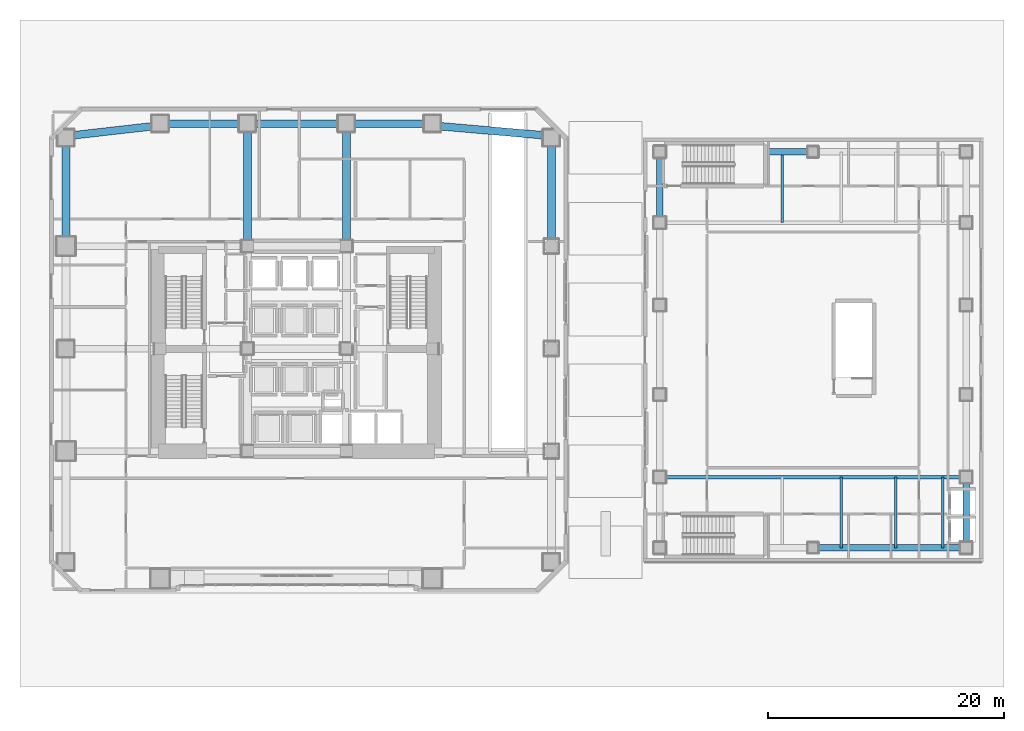
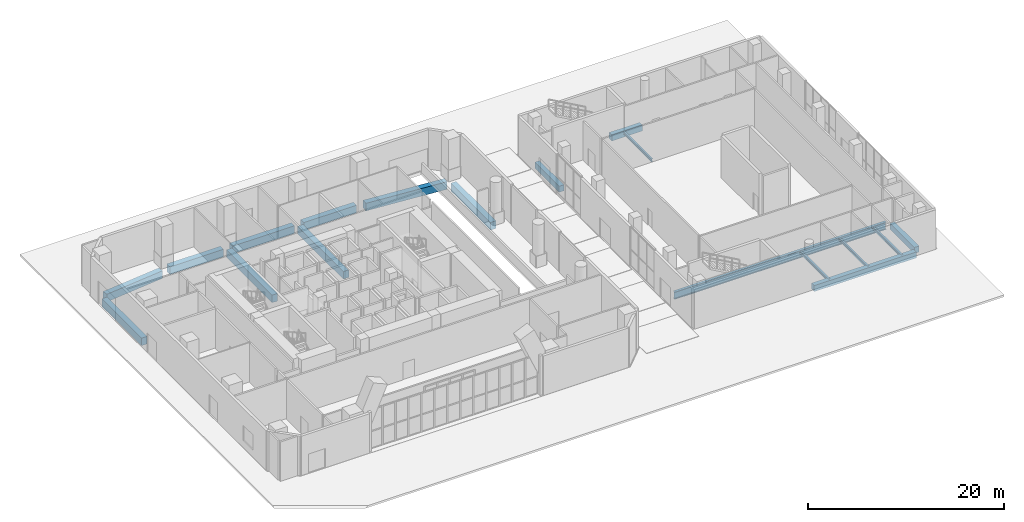
# One storey, part 13 of 30: 18 beams.
"""IFC4 building model written with IfcOpenShell, lengths in metres."""

from ifc_helpers import new_model, si_unit, direction, frame, origin, origin_2d, place, context, subcontext, project, spatial, rectangle, i_section, extrude, material, material_profile, profile_set, type_object, element, save


model = new_model("IFC4")

# Units and contexts
model_context = context("Model", 3, precision=1e-05, world=origin(), true_north=direction((0.0, 1.0)))
body_context = subcontext(model_context, "Body", "Model", "MODEL_VIEW")
ifc_project = project(units=[si_unit("LENGTHUNIT", "METRE"), si_unit("AREAUNIT", "SQUARE_METRE"), si_unit("VOLUMEUNIT", "CUBIC_METRE"), si_unit("PLANEANGLEUNIT", "RADIAN"), si_unit("MASSUNIT", "GRAM", prefix="KILO")], contexts=[model_context])

# Site, building, storey
site_placement = place(None, origin())
site = spatial("IfcSite", under=ifc_project, at=site_placement, CompositionType="ELEMENT")
building_placement = place(site_placement, origin())
building = spatial("IfcBuilding", under=site, at=building_placement, Name="Solanera Arch Residences", CompositionType="ELEMENT")
storey_placement = place(building_placement, origin())
storey = spatial("IfcBuildingStorey", under=building, at=storey_placement, Name="L00", CompositionType="ELEMENT", Elevation=0.0)

# Beams
ifc_material_1 = material(Name="Concrete C40/50 (f'c = 45 MPa)", Category="concrete")
ifc_material_profile_1 = material_profile(ifc_material_1, rectangle(XDim=0.550048828125, YDim=0.75, at=origin_2d()))
ifc_profile_set_1 = profile_set([ifc_material_profile_1], Name="Concrete C40/50 (f'c = 45 MPa)")
beam_type_1 = type_object("IfcBeamType", Name="Primary Beam RC-BM-550X750", PredefinedType="BEAM", material=ifc_profile_set_1)
for number, where, z_axis, x_axis, name in (
    (1, (81.800048828125, 14.300048828125, -0.695068359375), (0.0, 1.0, 0.0), (-1.0, 0.0, 0.0), "BM-L00-HE-1"),
    (2, (55.800048828125, 41.89990234375, -0.695068359375), (0.0, 1.0, 0.0), (-1.0, 0.0, 0.0), "BM-L00-HW-5"),
):
    element("IfcBeam", number, at=place(storey_placement, frame(where, z_axis=z_axis, x_axis=x_axis)), inside=storey, type_object=beam_type_1, Name=name, PredefinedType="BEAM", context=body_context, shape_type="SweptSolid", body=[
        extrude(rectangle(XDim=0.550048828125, YDim=0.75, at=origin_2d()), origin(), (0.0, 0.0, 1.0), 5.0),
    ])
beam_1_placement = place(storey_placement, frame((69.25, 13.800048828125, -0.695068359375), z_axis=(1.0, 0.0, 0.0), x_axis=(0.0, 1.0, 0.0)))
element("IfcBeam", 3, at=beam_1_placement, inside=storey, type_object=beam_type_1, Name="BM-L00-HS-2", PredefinedType="BEAM", context=body_context, shape_type="SweptSolid", body=[
    extrude(rectangle(XDim=0.550048828125, YDim=0.75, at=origin_2d()), origin(), (0.0, 0.0, 1.0), 12.050048828125),
])
beam_2_placement = place(storey_placement, frame((64.760009765625, 47.39990234375, -0.695068359375), z_axis=(1.0, 0.0, 0.0), x_axis=(0.0, 1.0, 0.0)))
element("IfcBeam", 4, at=beam_2_placement, inside=storey, type_object=beam_type_1, Name="BM-L00-HN-1", PredefinedType="BEAM", context=body_context, shape_type="SweptSolid", body=[
    extrude(rectangle(XDim=0.550048828125, YDim=0.75, at=origin_2d()), origin(), (0.0, 0.0, 1.0), 3.590087890625),
])
ifc_material_2 = material(Name="Concrete C40/50 (f'c = 45 MPa)", Category="concrete")
ifc_material_profile_2 = material_profile(ifc_material_2, rectangle(XDim=0.64990234375, YDim=0.949951171875, at=origin_2d()))
ifc_profile_set_2 = profile_set([ifc_material_profile_2], Name="Concrete C40/50 (f'c = 45 MPa)")
beam_type_2 = type_object("IfcBeamType", Name="Primary Beam RC-BM-650X950", PredefinedType="BEAM", material=ifc_profile_set_2)
beam_3_placement = place(storey_placement, frame((5.39990234375, 39.93994140625, -0.89501953125), z_axis=(0.0, 1.0, 0.0), x_axis=(-1.0, 0.0, 0.0)))
element("IfcBeam", 5, at=beam_3_placement, inside=storey, type_object=beam_type_2, Name="BM-L00-POD-W4", PredefinedType="BEAM", context=body_context, shape_type="SweptSolid", body=[
    extrude(rectangle(XDim=0.64990234375, YDim=0.949951171875, at=origin_2d()), origin(), (0.0, 0.0, 1.0), 8.1201171875),
])
beam_4_placement = place(storey_placement, frame((5.8798828125, 48.800048828125, -0.89501953125), z_axis=(0.993604551923, 0.112915873098, 0.0), x_axis=(-0.112915873098, 0.993604551923, 0.0)))
element("IfcBeam", 6, at=beam_4_placement, inside=storey, type_object=beam_type_2, Name="BM-L00-POD-N1", PredefinedType="BEAM", context=body_context, shape_type="SweptSolid", body=[
    extrude(rectangle(XDim=0.64990234375, YDim=0.949951171875, at=origin_2d()), origin(), (0.0, 0.0, 1.0), 7.08544921875),
])
beam_5_placement = place(storey_placement, frame((13.93994140625, 49.800048828125, -0.89501953125), z_axis=(1.0, 0.0, 0.0), x_axis=(0.0, 1.0, 0.0)))
element("IfcBeam", 7, at=beam_5_placement, inside=storey, type_object=beam_type_2, Name="BM-L00-POD-N2", PredefinedType="BEAM", context=body_context, shape_type="SweptSolid", body=[
    extrude(rectangle(XDim=0.64990234375, YDim=0.949951171875, at=origin_2d()), origin(), (0.0, 0.0, 1.0), 6.320068359375),
])
beam_6_placement = place(storey_placement, frame((21.340087890625, 49.800048828125, -0.89501953125), z_axis=(1.0, 0.0, 0.0), x_axis=(0.0, 1.0, 0.0)))
element("IfcBeam", 8, at=beam_6_placement, inside=storey, type_object=beam_type_2, Name="BM-L00-POD-N3", PredefinedType="BEAM", context=body_context, shape_type="SweptSolid", body=[
    extrude(rectangle(XDim=0.64990234375, YDim=0.949951171875, at=origin_2d()), origin(), (0.0, 0.0, 1.0), 7.31982421875),
])
beam_7_placement = place(storey_placement, frame((29.739990234375, 49.800048828125, -0.89501953125), z_axis=(1.0, 0.0, 0.0), x_axis=(0.0, 1.0, 0.0)))
element("IfcBeam", 9, at=beam_7_placement, inside=storey, type_object=beam_type_2, Name="BM-L00-POD-N4", PredefinedType="BEAM", context=body_context, shape_type="SweptSolid", body=[
    extrude(rectangle(XDim=0.64990234375, YDim=0.949951171875, at=origin_2d()), origin(), (0.0, 0.0, 1.0), 6.219970703125),
])
beam_8_placement = place(storey_placement, frame((36.97998046875, 49.60009765625, -0.89501953125), z_axis=(0.996191002053, -0.087197978357, 0.0), x_axis=(0.087197978357, 0.996191002053, 0.0)))
element("IfcBeam", 10, at=beam_8_placement, inside=storey, type_object=beam_type_2, Name="BM-L00-POD-N5", PredefinedType="BEAM", context=body_context, shape_type="SweptSolid", body=[
    extrude(rectangle(XDim=0.64990234375, YDim=0.949951171875, at=origin_2d()), origin(), (0.0, 0.0, 1.0), 9.175048828125),
])
beam_9_placement = place(storey_placement, frame((46.60009765625, 39.93994140625, -0.89501953125), z_axis=(0.0, 1.0, 0.0), x_axis=(-1.0, 0.0, 0.0)))
element("IfcBeam", 11, at=beam_9_placement, inside=storey, type_object=beam_type_2, Name="BM-L00-POD-E4", PredefinedType="BEAM", context=body_context, shape_type="SweptSolid", body=[
    extrude(rectangle(XDim=0.64990234375, YDim=0.949951171875, at=origin_2d()), origin(), (0.0, 0.0, 1.0), 8.1201171875),
])
for number, where, z_axis, x_axis, name in (
    (12, (20.800048828125, 39.904052734375, -0.89501953125), (0.0, 1.0, 0.0), (-1.0, 0.0, 0.0), "BM-L00-POD-RN-20"),
    (13, (29.199951171875, 39.904052734375, -0.89501953125), (0.0, 1.0, 0.0), (-1.0, 0.0, 0.0), "BM-L00-POD-RN-29"),
):
    element("IfcBeam", number, at=place(storey_placement, frame(where, z_axis=z_axis, x_axis=x_axis)), inside=storey, type_object=beam_type_2, Name=name, PredefinedType="BEAM", context=body_context, shape_type="SweptSolid", body=[
        extrude(rectangle(XDim=0.64990234375, YDim=0.949951171875, at=origin_2d()), origin(), (0.0, 0.0, 1.0), 9.35595703125),
    ])
ifc_material_3 = material(Name="Steel S355 (ASTM A992 / A572 Grade 50)", Category="steel")
ifc_material_profile_3 = material_profile(ifc_material_3, i_section(OverallWidth=0.306884765625, OverallDepth=0.912109375, WebThickness=0.01953125, FlangeThickness=0.031982421875, at=origin_2d()))
ifc_profile_set_3 = profile_set([ifc_material_profile_3], Name="Steel S355 (ASTM A992 / A572 Grade 50)")
beam_type_3 = type_object("IfcBeamType", Name="Primary Beam W920X342", PredefinedType="BEAM", material=ifc_profile_set_3)
beam_10_placement = place(storey_placement, frame((56.300048828125, 19.800048828125, -0.77587890625), z_axis=(1.0, 0.0, 0.0), x_axis=(0.0, 1.0, 0.0)))
element("IfcBeam", 14, at=beam_10_placement, inside=storey, type_object=beam_type_3, Name="BM-L00-HCS", PredefinedType="BEAM", context=body_context, shape_type="SweptSolid", body=[
    extrude(i_section(OverallWidth=0.306884765625, OverallDepth=0.912109375, WebThickness=0.01953125, FlangeThickness=0.031982421875, at=origin_2d()), origin(), (0.0, 0.0, 1.0), 25.0),
])
ifc_material_4 = material(Name="Steel S355 (ASTM A992 / A572 Grade 50)", Category="steel")
ifc_material_profile_4 = material_profile(ifc_material_4, i_section(OverallWidth=0.205078125, OverallDepth=0.35400390625, WebThickness=0.009521484375, FlangeThickness=0.016845703125, at=origin_2d()))
ifc_profile_set_4 = profile_set([ifc_material_profile_4], Name="Steel S355 (ASTM A992 / A572 Grade 50)")
beam_type_4 = type_object("IfcBeamType", Name="Secondary Joist W360X79", PredefinedType="JOIST", material=ifc_profile_set_4)
for number, where, z_axis, x_axis, name in (
    (15, (66.199951171875, 41.39990234375, -0.4970703125), (0.0, 1.0, 0.0), (-1.0, 0.0, 0.0), "BM-L00-HJN-66"),
    (16, (71.199951171875, 13.800048828125, -0.4970703125), (0.0, 1.0, 0.0), (-1.0, 0.0, 0.0), "BM-L00-HJS-71"),
    (17, (75.800048828125, 13.800048828125, -0.4970703125), (0.0, 1.0, 0.0), (-1.0, 0.0, 0.0), "BM-L00-HJS-75"),
    (18, (79.800048828125, 13.800048828125, -0.4970703125), (0.0, 1.0, 0.0), (-1.0, 0.0, 0.0), "BM-L00-HJS-79"),
):
    element("IfcBeam", number, at=place(storey_placement, frame(where, z_axis=z_axis, x_axis=x_axis)), inside=storey, type_object=beam_type_4, Name=name, PredefinedType="JOIST", context=body_context, shape_type="SweptSolid", body=[
        extrude(i_section(OverallWidth=0.205078125, OverallDepth=0.35400390625, WebThickness=0.009521484375, FlangeThickness=0.016845703125, at=origin_2d()), origin(), (0.0, 0.0, 1.0), 6.0),
    ])

save(model, "model.ifc")
